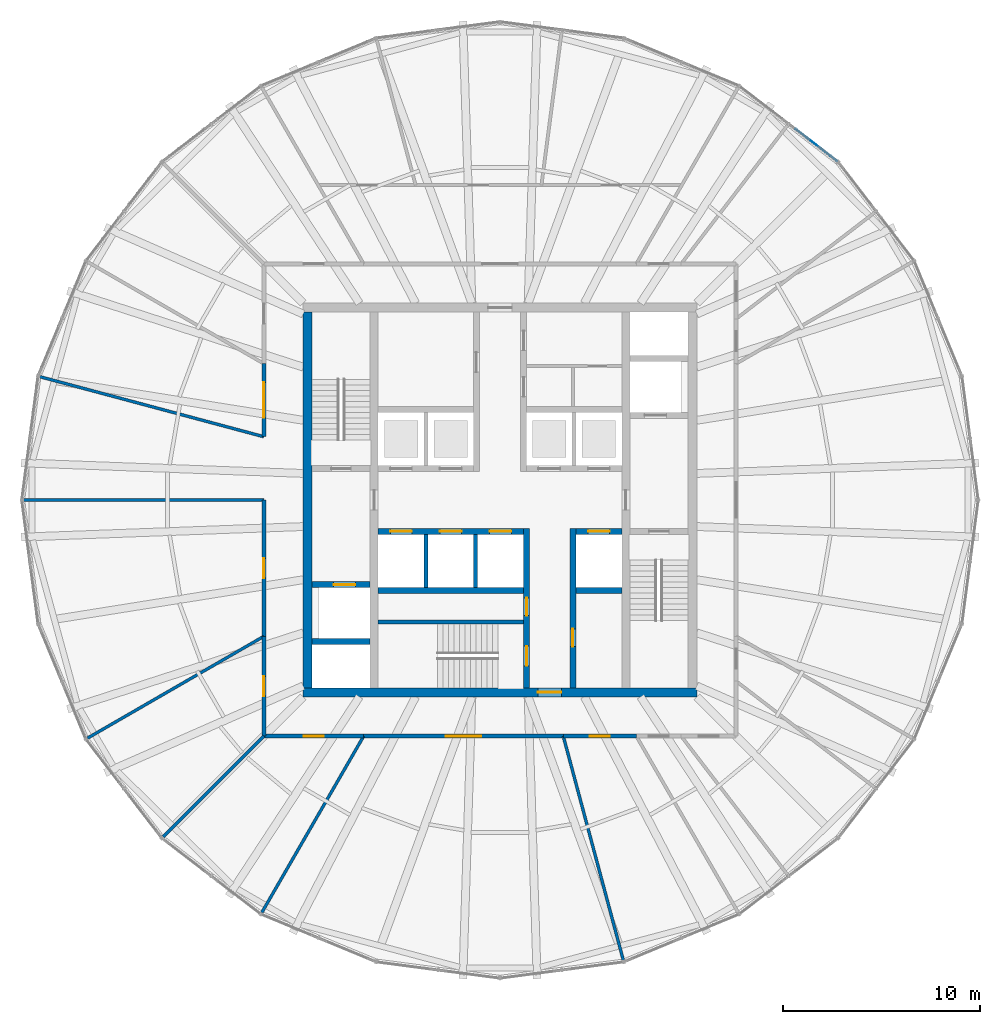
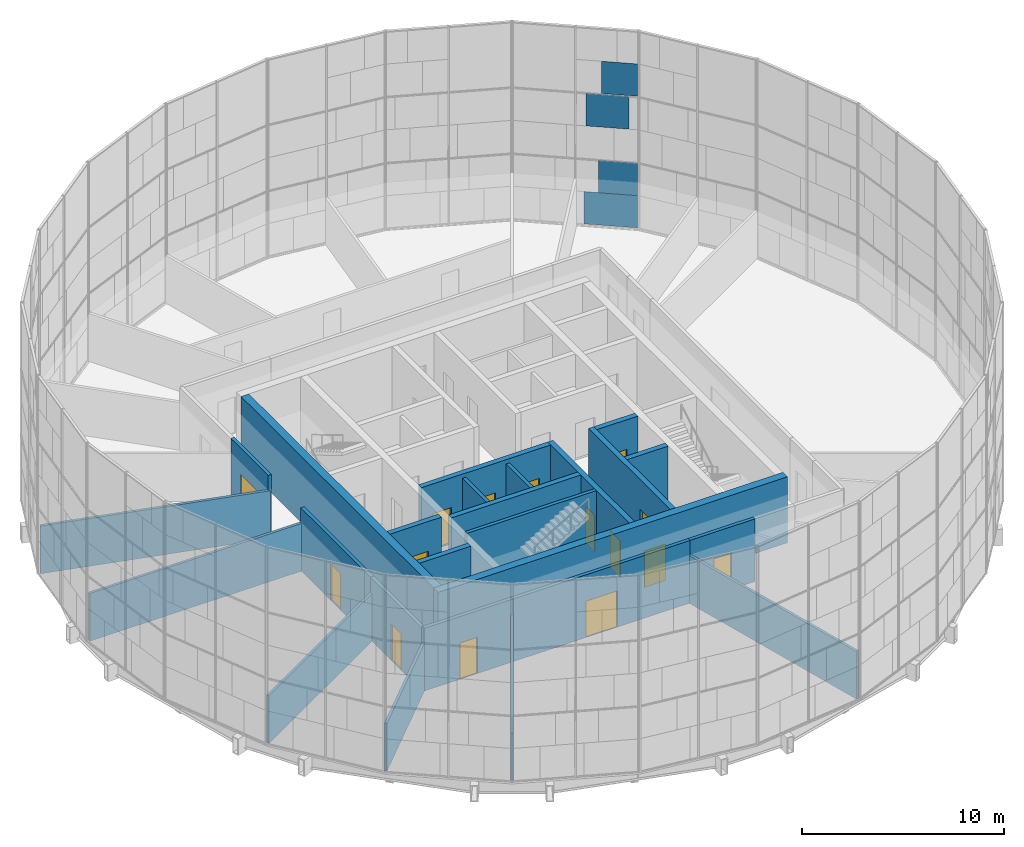
# One storey, part 18 of 22: 25 walls, 15 doors, 4 plates, 15 openings, 1 element without a shape of its own.
"""IFC4 building model written with IfcOpenShell, lengths in metres."""

from ifc_helpers import new_model, si_unit, direction, frame, frame_2d, origin, origin_2d, place, context, subcontext, project, spatial, rectangle, extrude, material, layer, layer_set, type_object, element, fill, aggregate, save


model = new_model("IFC4")

# Units and contexts
model_context = context("Model", 3, precision=1e-05, world=origin(), true_north=direction((0.0, 1.0)))
body_context = subcontext(model_context, "Body", "Model", "MODEL_VIEW")
ifc_project = project(units=[si_unit("LENGTHUNIT", "METRE"), si_unit("AREAUNIT", "SQUARE_METRE"), si_unit("VOLUMEUNIT", "CUBIC_METRE"), si_unit("PLANEANGLEUNIT", "RADIAN"), si_unit("MASSUNIT", "GRAM", prefix="KILO")], contexts=[model_context])

# Site, building, storey
site_placement = place(None, origin())
site = spatial("IfcSite", under=ifc_project, at=site_placement, CompositionType="ELEMENT")
building_placement = place(site_placement, origin())
building = spatial("IfcBuilding", under=site, at=building_placement, Name="Golbaran Civic Tower", CompositionType="ELEMENT")
storey_placement = place(building_placement, frame((0.0, 0.0, 155.0)))
storey = spatial("IfcBuildingStorey", under=building, at=storey_placement, Name="L37", CompositionType="ELEMENT", Elevation=155.0)

# Curtain wall, plates
ifc_material_1 = material(Name="Aluminium and glass", Category="aluminium")
curtain_wall_type = type_object("IfcCurtainWallType", Name="INNER SKIN CURTAIN WALL", PredefinedType="NOTDEFINED", material=ifc_material_1)
curtain_wall_placement = place(storey_placement, origin())
curtain_wall = element("IfcCurtainWall", 1, at=curtain_wall_placement, inside=storey, type_object=curtain_wall_type, Name="Inner skin L37 facet 4 CW1", ObjectType="INNER SKIN", PredefinedType="USERDEFINED")
ifc_material_2 = material(Name="Clear insulating glass", Category="glass")
ifc_layer_1 = layer(ifc_material_2, 0.031982421875, Name="Clear insulating glass")
ifc_layer_set_1 = layer_set([ifc_layer_1], Name="Clear insulating glass")
plate_type_1 = type_object("IfcPlateType", Name="INNER SKIN CURTAIN WALL GLAZED PANEL", PredefinedType="CURTAIN_PANEL", material=ifc_layer_set_1)
plate_1_placement = place(storey_placement, frame((16.072265625, 18.037353515625, 0.06494140625), z_axis=(0.0, 0.0, 1.0), x_axis=(-0.793353340217, 0.608761429106, 0.0)))
plate_1 = element("IfcPlate", 2, at=plate_1_placement, type_object=plate_type_1, Name="CW1 panel 1.1 part 1", PredefinedType="CURTAIN_PANEL", context=body_context, shape_type="SweptSolid", body=[
    extrude(rectangle(XDim=2.673095703125, YDim=0.031982421875, at=origin_2d()), origin(), (0.0, 0.0, 1.0), 1.951171875),
])
plate_2_placement = place(storey_placement, frame((16.353515625, 17.821533203125, 2.016357421875), z_axis=(0.0, 0.0, 1.0), x_axis=(-0.793353340217, 0.608761429106, 0.0)))
plate_2 = element("IfcPlate", 3, at=plate_2_placement, type_object=plate_type_1, Name="CW1 panel 1.1 part 3", PredefinedType="CURTAIN_PANEL", context=body_context, shape_type="SweptSolid", body=[
    extrude(rectangle(XDim=1.964111328125, YDim=0.031982421875, at=origin_2d()), origin(), (0.0, 0.0, 1.0), 1.951171875),
])
ifc_material_3 = material(Name="Aluminium faced opaque infill panel", Category="aluminium")
ifc_layer_2 = layer(ifc_material_3, 0.031982421875, Name="Aluminium faced opaque infill panel")
ifc_layer_set_2 = layer_set([ifc_layer_2], Name="Aluminium faced opaque infill panel")
plate_type_2 = type_object("IfcPlateType", Name="INNER SKIN CURTAIN WALL OPAQUE INFILL PANEL", PredefinedType="CURTAIN_PANEL", material=ifc_layer_set_2)
plate_3_placement = place(storey_placement, frame((15.943359375, 18.13623046875, 6.0), z_axis=(0.0, 0.0, 1.0), x_axis=(-0.793353340217, 0.608761429106, 0.0)))
plate_3 = element("IfcPlate", 4, at=plate_3_placement, type_object=plate_type_2, Name="CW1 infill panel 1.2 part 4", PredefinedType="CURTAIN_PANEL", context=body_context, shape_type="SweptSolid", body=[
    extrude(rectangle(XDim=2.157958984375, YDim=0.031982421875, at=origin_2d()), origin(), (0.0, 0.0, 1.0), 1.967529296875),
])
plate_4_placement = place(storey_placement, frame((16.42138671875, 17.76953125, 8.032470703125), z_axis=(0.0, 0.0, 1.0), x_axis=(-0.793353340217, 0.608761429106, 0.0)))
plate_4 = element("IfcPlate", 5, at=plate_4_placement, type_object=plate_type_2, Name="CW1 infill panel 1.3 part 1", PredefinedType="CURTAIN_PANEL", context=body_context, shape_type="SweptSolid", body=[
    extrude(rectangle(XDim=1.79296875, YDim=0.031982421875, at=origin_2d()), origin(), (0.0, 0.0, 1.0), 1.951171875),
])
aggregate(curtain_wall, [plate_1, plate_2, plate_3, plate_4])

# Wall, opening, door
ifc_material_4 = material(Name="Concrete C50/60", Category="concrete")
ifc_layer_3 = layer(ifc_material_4, 0.449951171875, Name="Concrete C50/60")
ifc_layer_set_3 = layer_set([ifc_layer_3], Name="Concrete C50/60")
wall_type_1 = type_object("IfcWallType", Name="CORE WALL CONCRETE 450", PredefinedType="SOLIDWALL", material=ifc_layer_set_3)
wall_1_placement = place(storey_placement, frame((10.0, -9.77490234375, 0.0), z_axis=(0.0, 0.0, 1.0), x_axis=(-1.0, 0.0, 0.0)))
wall_1 = element("IfcWall", 6, at=wall_1_placement, inside=storey, type_object=wall_type_1, Name="Core wall CS L37", PredefinedType="SOLIDWALL", context=body_context, shape_type="SweptSolid", body=[
    extrude(rectangle(XDim=20.0, YDim=0.449951171875, at=frame_2d((10.0, 0.0))), origin(), (0.0, 0.0, 1.0), 4.0),
])
opening_1_placement = place(wall_1_placement, frame((6.875, 0.0, 0.0)))
opening_1 = element("IfcOpeningElement", 7, at=opening_1_placement, cuts=wall_1, Name="Opening L37.CS", PredefinedType="OPENING", context=body_context, shape_type="SweptSolid", body=[
    extrude(rectangle(XDim=1.199951171875, YDim=2.199951171875, at=frame_2d((0.60009765625, 1.10009765625))), frame((0.0, 0.23486328125, 0.0), z_axis=(0.0, -1.0, 0.0), x_axis=(1.0, 0.0, 0.0)), (0.0, 0.0, 1.0), 0.469970703125),
])
ifc_material_5 = material(Name="Timber door set in steel frame", Category="steel")
door_type_1 = type_object("IfcDoorType", Name="CORE DOOR 1200x2200", OperationType="DOUBLE_DOOR_SINGLE_SWING", PredefinedType="DOOR", material=ifc_material_5)
door_1_placement = place(opening_1_placement, origin())
door_1 = element("IfcDoor", 8, at=door_1_placement, inside=storey, type_object=door_type_1, Name="Core door south", OperationType="DOUBLE_DOOR_SINGLE_SWING", OverallHeight=2.199951171875, OverallWidth=1.199951171875, PredefinedType="DOOR", context=body_context, shape_type="SweptSolid", body=[
    extrude(rectangle(XDim=1.199951171875, YDim=2.199951171875, at=frame_2d((0.60009765625, 1.10009765625))), frame((0.0, 0.02490234375, 0.0), z_axis=(0.0, -1.0, 0.0), x_axis=(1.0, 0.0, 0.0)), (0.0, 0.0, 1.0), 0.050048828125),
])
fill(opening_1, door_1)

# Wall
wall_2_placement = place(storey_placement, frame((-9.77490234375, 9.550048828125, 0.0), z_axis=(0.0, 0.0, 1.0), x_axis=(0.0, -1.0, 0.0)))
element("IfcWall", 9, at=wall_2_placement, inside=storey, type_object=wall_type_1, Name="Core wall CW L37", PredefinedType="SOLIDWALL", context=body_context, shape_type="SweptSolid", body=[
    extrude(rectangle(XDim=19.10009765625, YDim=0.449951171875, at=frame_2d((9.550048828125, 0.0))), origin(), (0.0, 0.0, 1.0), 4.0),
])

# Wall, opening, door
ifc_material_6 = material(Name="Gypsum board on steel studs, fire-rated", Category="steel")
ifc_layer_4 = layer(ifc_material_6, 0.199951171875, Name="Gypsum board on steel studs, fire-rated")
ifc_layer_set_4 = layer_set([ifc_layer_4], Name="Gypsum board on steel studs, fire-rated")
wall_type_2 = type_object("IfcWallType", Name="CORRIDOR WALL 200", PredefinedType="PARTITIONING", material=ifc_layer_set_4)
wall_3_placement = place(storey_placement, frame((-12.0, 6.92822265625, 0.0), z_axis=(0.0, 0.0, 1.0), x_axis=(0.0, -1.0, 0.0)))
wall_3 = element("IfcWall", 10, at=wall_3_placement, inside=storey, type_object=wall_type_2, Name="Corridor wall L37", PredefinedType="PARTITIONING", context=body_context, shape_type="SweptSolid", body=[
    extrude(rectangle(XDim=3.712890625, YDim=0.199951171875, at=frame_2d((1.8564453125, 0.0))), origin(), (0.0, 0.0, 1.0), 3.800048828125),
])
opening_2_placement = place(wall_3_placement, frame((0.956298828125, 0.0, 0.0)))
opening_2 = element("IfcOpeningElement", 11, at=opening_2_placement, cuts=wall_3, Name="Opening L37.11", PredefinedType="OPENING", context=body_context, shape_type="SweptSolid", body=[
    extrude(rectangle(XDim=1.800048828125, YDim=2.199951171875, at=frame_2d((0.89990234375, 1.10009765625))), frame((0.0, 0.10986328125, 0.0), z_axis=(0.0, -1.0, 0.0), x_axis=(1.0, 0.0, 0.0)), (0.0, 0.0, 1.0), 0.219970703125),
])
door_type_2 = type_object("IfcDoorType", Name="OFFICE DOUBLE DOOR 1800x2200", OperationType="DOUBLE_DOOR_SINGLE_SWING", PredefinedType="DOOR", material=ifc_material_5)
door_2_placement = place(opening_2_placement, origin())
door_2 = element("IfcDoor", 12, at=door_2_placement, inside=storey, type_object=door_type_2, Name="IT Services Office door L37", OperationType="DOUBLE_DOOR_SINGLE_SWING", OverallHeight=2.199951171875, OverallWidth=1.800048828125, PredefinedType="DOOR", context=body_context, shape_type="SweptSolid", body=[
    extrude(rectangle(XDim=1.800048828125, YDim=2.199951171875, at=frame_2d((0.89990234375, 1.10009765625))), frame((0.0, 0.02490234375, 0.0), z_axis=(0.0, -1.0, 0.0), x_axis=(1.0, 0.0, 0.0)), (0.0, 0.0, 1.0), 0.050048828125),
])
fill(opening_2, door_2)

wall_4_placement = place(storey_placement, frame((-12.0, 0.0, 0.0), z_axis=(0.0, 0.0, 1.0), x_axis=(0.0, -1.0, 0.0)))
wall_4 = element("IfcWall", 13, at=wall_4_placement, inside=storey, type_object=wall_type_2, Name="Corridor wall L37", PredefinedType="PARTITIONING", context=body_context, shape_type="SweptSolid", body=[
    extrude(rectangle(XDim=6.92822265625, YDim=0.199951171875, at=frame_2d((3.464111328125, 0.0))), origin(), (0.0, 0.0, 1.0), 3.800048828125),
])
opening_3_placement = place(wall_4_placement, frame((2.964111328125, 0.0, 0.0)))
opening_3 = element("IfcOpeningElement", 14, at=opening_3_placement, cuts=wall_4, Name="Opening L37.12", PredefinedType="OPENING", context=body_context, shape_type="SweptSolid", body=[
    extrude(rectangle(XDim=1.0, YDim=2.199951171875, at=frame_2d((0.5, 1.10009765625))), frame((0.0, 0.10986328125, 0.0), z_axis=(0.0, -1.0, 0.0), x_axis=(1.0, 0.0, 0.0)), (0.0, 0.0, 1.0), 0.219970703125),
])
door_type_3 = type_object("IfcDoorType", Name="OFFICE DOOR 1000x2200", OperationType="SINGLE_SWING_LEFT", PredefinedType="DOOR", material=ifc_material_5)
door_3_placement = place(opening_3_placement, origin())
door_3 = element("IfcDoor", 15, at=door_3_placement, inside=storey, type_object=door_type_3, Name="Server Room door L37", OperationType="SINGLE_SWING_RIGHT", OverallHeight=2.199951171875, OverallWidth=1.0, PredefinedType="DOOR", context=body_context, shape_type="SweptSolid", body=[
    extrude(rectangle(XDim=1.0, YDim=2.199951171875, at=frame_2d((0.5, 1.10009765625))), frame((0.0, 0.02490234375, 0.0), z_axis=(0.0, -1.0, 0.0), x_axis=(1.0, 0.0, 0.0)), (0.0, 0.0, 1.0), 0.050048828125),
])
fill(opening_3, door_3)

wall_5_placement = place(storey_placement, frame((-12.0, -6.92822265625, 0.0), z_axis=(0.0, 0.0, 1.0), x_axis=(0.0, -1.0, 0.0)))
wall_5 = element("IfcWall", 16, at=wall_5_placement, inside=storey, type_object=wall_type_2, Name="Corridor wall L37", PredefinedType="PARTITIONING", context=body_context, shape_type="SweptSolid", body=[
    extrude(rectangle(XDim=5.07177734375, YDim=0.199951171875, at=frame_2d((2.535888671875, 0.0))), origin(), (0.0, 0.0, 1.0), 3.800048828125),
])
opening_4_placement = place(wall_5_placement, frame((2.035888671875, 0.0, 0.0)))
opening_4 = element("IfcOpeningElement", 17, at=opening_4_placement, cuts=wall_5, Name="Opening L37.13", PredefinedType="OPENING", context=body_context, shape_type="SweptSolid", body=[
    extrude(rectangle(XDim=1.0, YDim=2.199951171875, at=frame_2d((0.5, 1.10009765625))), frame((0.0, 0.10986328125, 0.0), z_axis=(0.0, -1.0, 0.0), x_axis=(1.0, 0.0, 0.0)), (0.0, 0.0, 1.0), 0.219970703125),
])
door_4_placement = place(opening_4_placement, origin())
door_4 = element("IfcDoor", 18, at=door_4_placement, inside=storey, type_object=door_type_3, Name="Meeting Room door L37", OperationType="SINGLE_SWING_RIGHT", OverallHeight=2.199951171875, OverallWidth=1.0, PredefinedType="DOOR", context=body_context, shape_type="SweptSolid", body=[
    extrude(rectangle(XDim=1.0, YDim=2.199951171875, at=frame_2d((0.5, 1.10009765625))), frame((0.0, 0.02490234375, 0.0), z_axis=(0.0, -1.0, 0.0), x_axis=(1.0, 0.0, 0.0)), (0.0, 0.0, 1.0), 0.050048828125),
])
fill(opening_4, door_4)

wall_6_placement = place(storey_placement, frame((-12.0, -12.0, 0.0), z_axis=(0.0, 0.0, 1.0), x_axis=(1.0, 0.0, 0.0)))
wall_6 = element("IfcWall", 19, at=wall_6_placement, inside=storey, type_object=wall_type_2, Name="Corridor wall L37", PredefinedType="PARTITIONING", context=body_context, shape_type="SweptSolid", body=[
    extrude(rectangle(XDim=5.07177734375, YDim=0.199951171875, at=frame_2d((2.535888671875, 0.0))), origin(), (0.0, 0.0, 1.0), 3.800048828125),
])
opening_5_placement = place(wall_6_placement, frame((2.035888671875, 0.0, 0.0)))
opening_5 = element("IfcOpeningElement", 20, at=opening_5_placement, cuts=wall_6, Name="Opening L37.14", PredefinedType="OPENING", context=body_context, shape_type="SweptSolid", body=[
    extrude(rectangle(XDim=1.0, YDim=2.199951171875, at=frame_2d((0.5, 1.10009765625))), frame((0.0, 0.10986328125, 0.0), z_axis=(0.0, -1.0, 0.0), x_axis=(1.0, 0.0, 0.0)), (0.0, 0.0, 1.0), 0.219970703125),
])
door_5_placement = place(opening_5_placement, origin())
door_5 = element("IfcDoor", 21, at=door_5_placement, inside=storey, type_object=door_type_3, Name="Store door L37", OperationType="SINGLE_SWING_LEFT", OverallHeight=2.199951171875, OverallWidth=1.0, PredefinedType="DOOR", context=body_context, shape_type="SweptSolid", body=[
    extrude(rectangle(XDim=1.0, YDim=2.199951171875, at=frame_2d((0.5, 1.10009765625))), frame((0.0, 0.02490234375, 0.0), z_axis=(0.0, -1.0, 0.0), x_axis=(1.0, 0.0, 0.0)), (0.0, 0.0, 1.0), 0.050048828125),
])
fill(opening_5, door_5)

wall_7_placement = place(storey_placement, frame((-6.92822265625, -12.0, 0.0), z_axis=(0.0, 0.0, 1.0), x_axis=(1.0, 0.0, 0.0)))
wall_7 = element("IfcWall", 22, at=wall_7_placement, inside=storey, type_object=wall_type_2, Name="Corridor wall L37", PredefinedType="PARTITIONING", context=body_context, shape_type="SweptSolid", body=[
    extrude(rectangle(XDim=10.1435546875, YDim=0.199951171875, at=frame_2d((5.07177734375, 0.0))), origin(), (0.0, 0.0, 1.0), 3.800048828125),
])
opening_6_placement = place(wall_7_placement, frame((4.171875, 0.0, 0.0)))
opening_6 = element("IfcOpeningElement", 23, at=opening_6_placement, cuts=wall_7, Name="Opening L37.15", PredefinedType="OPENING", context=body_context, shape_type="SweptSolid", body=[
    extrude(rectangle(XDim=1.800048828125, YDim=2.199951171875, at=frame_2d((0.89990234375, 1.10009765625))), frame((0.0, 0.10986328125, 0.0), z_axis=(0.0, -1.0, 0.0), x_axis=(1.0, 0.0, 0.0)), (0.0, 0.0, 1.0), 0.219970703125),
])
door_6_placement = place(opening_6_placement, origin())
door_6 = element("IfcDoor", 24, at=door_6_placement, inside=storey, type_object=door_type_2, Name="Sky Lobby door L37", OperationType="DOUBLE_DOOR_SINGLE_SWING", OverallHeight=2.199951171875, OverallWidth=1.800048828125, PredefinedType="DOOR", context=body_context, shape_type="SweptSolid", body=[
    extrude(rectangle(XDim=1.800048828125, YDim=2.199951171875, at=frame_2d((0.89990234375, 1.10009765625))), frame((0.0, 0.02490234375, 0.0), z_axis=(0.0, -1.0, 0.0), x_axis=(1.0, 0.0, 0.0)), (0.0, 0.0, 1.0), 0.050048828125),
])
fill(opening_6, door_6)

wall_8_placement = place(storey_placement, frame((3.21533203125, -12.0, 0.0), z_axis=(0.0, 0.0, 1.0), x_axis=(1.0, 0.0, 0.0)))
wall_8 = element("IfcWall", 25, at=wall_8_placement, inside=storey, type_object=wall_type_2, Name="Corridor wall L37", PredefinedType="PARTITIONING", context=body_context, shape_type="SweptSolid", body=[
    extrude(rectangle(XDim=3.712890625, YDim=0.199951171875, at=frame_2d((1.8564453125, 0.0))), origin(), (0.0, 0.0, 1.0), 3.800048828125),
])
opening_7_placement = place(wall_8_placement, frame((1.3564453125, 0.0, 0.0)))
opening_7 = element("IfcOpeningElement", 26, at=opening_7_placement, cuts=wall_8, Name="Opening L37.16", PredefinedType="OPENING", context=body_context, shape_type="SweptSolid", body=[
    extrude(rectangle(XDim=1.0, YDim=2.199951171875, at=frame_2d((0.5, 1.10009765625))), frame((0.0, 0.10986328125, 0.0), z_axis=(0.0, -1.0, 0.0), x_axis=(1.0, 0.0, 0.0)), (0.0, 0.0, 1.0), 0.219970703125),
])
door_7_placement = place(opening_7_placement, origin())
door_7 = element("IfcDoor", 27, at=door_7_placement, inside=storey, type_object=door_type_3, Name="Meeting Room door L37", OperationType="SINGLE_SWING_LEFT", OverallHeight=2.199951171875, OverallWidth=1.0, PredefinedType="DOOR", context=body_context, shape_type="SweptSolid", body=[
    extrude(rectangle(XDim=1.0, YDim=2.199951171875, at=frame_2d((0.5, 1.10009765625))), frame((0.0, 0.02490234375, 0.0), z_axis=(0.0, -1.0, 0.0), x_axis=(1.0, 0.0, 0.0)), (0.0, 0.0, 1.0), 0.050048828125),
])
fill(opening_7, door_7)

# Walls
ifc_material_7 = material(Name="Concrete block", Category="concrete")
ifc_layer_5 = layer(ifc_material_7, 0.199951171875, Name="Concrete block")
ifc_layer_set_5 = layer_set([ifc_layer_5], Name="Concrete block")
wall_type_3 = type_object("IfcWallType", Name="LIFT SEPARATOR WALL 200", PredefinedType="SOLIDWALL", material=ifc_layer_set_5)
for number, where, z_axis, x_axis, name in (
    (28, (-3.75, -1.75, 0.0), (0.0, 0.0, 1.0), (0.0, -1.0, 0.0), "Core partition SSW L37"),
    (29, (-1.25, -1.75, 0.0), (0.0, 0.0, 1.0), (0.0, -1.0, 0.0), "Core partition SSM L37"),
):
    element("IfcWall", number, at=place(storey_placement, frame(where, z_axis=z_axis, x_axis=x_axis)), inside=storey, type_object=wall_type_3, Name=name, PredefinedType="SOLIDWALL", context=body_context, shape_type="SweptSolid", body=[
        extrude(rectangle(XDim=2.699951171875, YDim=0.199951171875, at=frame_2d((1.35009765625, 0.0))), origin(), (0.0, 0.0, 1.0), 3.75),
    ])
ifc_material_8 = material(Name="Gypsum board on steel studs", Category="steel")
ifc_layer_6 = layer(ifc_material_8, 0.14990234375, Name="Gypsum board on steel studs")
ifc_layer_set_6 = layer_set([ifc_layer_6], Name="Gypsum board on steel studs")
wall_type_4 = type_object("IfcWallType", Name="OFFICE PARTITION 150", PredefinedType="PARTITIONING", material=ifc_layer_set_6)
wall_9_placement = place(storey_placement, frame((-12.0, 3.21533203125, 0.0), z_axis=(0.0, 0.0, 1.0), x_axis=(-0.965923829901, 0.25882649561, 0.0)))
element("IfcWall", 30, at=wall_9_placement, inside=storey, type_object=wall_type_4, Name="Partition 165 L37", PredefinedType="PARTITIONING", context=body_context, shape_type="SweptSolid", body=[
    extrude(rectangle(XDim=11.787841796875, YDim=0.14990234375, at=frame_2d((5.89404296875, 0.0))), origin(), (0.0, 0.0, 1.0), 2.889892578125),
])
wall_10_placement = place(storey_placement, frame((-12.0, 0.0, 0.0), z_axis=(0.0, 0.0, 1.0), x_axis=(-1.0, 0.0, 0.0)))
element("IfcWall", 31, at=wall_10_placement, inside=storey, type_object=wall_type_4, Name="Partition 180 L37", PredefinedType="PARTITIONING", context=body_context, shape_type="SweptSolid", body=[
    extrude(rectangle(XDim=12.211181640625, YDim=0.14990234375, at=frame_2d((6.10546875, 0.0))), origin(), (0.0, 0.0, 1.0), 2.889892578125),
])
wall_11_placement = place(storey_placement, frame((-12.0, -6.92822265625, 0.0), z_axis=(0.0, 0.0, 1.0), x_axis=(-0.86602185845, -0.500006140648, 0.0)))
element("IfcWall", 32, at=wall_11_placement, inside=storey, type_object=wall_type_4, Name="Partition 210 L37", PredefinedType="PARTITIONING", context=body_context, shape_type="SweptSolid", body=[
    extrude(rectangle(XDim=10.354736328125, YDim=0.14990234375, at=frame_2d((5.17724609375, 0.0))), origin(), (0.0, 0.0, 1.0), 2.889892578125),
])
wall_12_placement = place(storey_placement, frame((-12.0, -12.0, 0.0), z_axis=(0.0, 0.0, 1.0), x_axis=(-0.707106781187, -0.707106781187, 0.0)))
element("IfcWall", 33, at=wall_12_placement, inside=storey, type_object=wall_type_4, Name="Partition 225 L37", PredefinedType="PARTITIONING", context=body_context, shape_type="SweptSolid", body=[
    extrude(rectangle(XDim=7.240478515625, YDim=0.14990234375, at=frame_2d((3.6201171875, 0.0))), origin(), (0.0, 0.0, 1.0), 2.889892578125),
])
wall_13_placement = place(storey_placement, frame((-6.92822265625, -12.0, 0.0), z_axis=(0.0, 0.0, 1.0), x_axis=(-0.500006140648, -0.86602185845, 0.0)))
element("IfcWall", 34, at=wall_13_placement, inside=storey, type_object=wall_type_4, Name="Partition 240 L37", PredefinedType="PARTITIONING", context=body_context, shape_type="SweptSolid", body=[
    extrude(rectangle(XDim=10.354736328125, YDim=0.14990234375, at=frame_2d((5.17724609375, 0.0))), origin(), (0.0, 0.0, 1.0), 2.889892578125),
])
wall_14_placement = place(storey_placement, frame((3.21533203125, -12.0, 0.0), z_axis=(0.0, 0.0, 1.0), x_axis=(0.25882649561, -0.965923829901, 0.0)))
element("IfcWall", 35, at=wall_14_placement, inside=storey, type_object=wall_type_4, Name="Partition 285 L37", PredefinedType="PARTITIONING", context=body_context, shape_type="SweptSolid", body=[
    extrude(rectangle(XDim=11.787841796875, YDim=0.14990234375, at=frame_2d((5.89404296875, 0.0))), origin(), (0.0, 0.0, 1.0), 2.889892578125),
])
ifc_layer_7 = layer(ifc_material_4, 0.199951171875, Name="Concrete C50/60")
ifc_layer_set_7 = layer_set([ifc_layer_7], Name="Concrete C50/60")
wall_type_5 = type_object("IfcWallType", Name="SHAFT WALL CONCRETE 200", PredefinedType="SOLIDWALL", material=ifc_layer_set_7)
wall_15_placement = place(storey_placement, frame((-6.199951171875, -6.199951171875, 0.0), z_axis=(0.0, 0.0, 1.0), x_axis=(1.0, 0.0, 0.0)))
element("IfcWall", 36, at=wall_15_placement, inside=storey, type_object=wall_type_5, Name="Core wall S3N L37", PredefinedType="SOLIDWALL", context=body_context, shape_type="SweptSolid", body=[
    extrude(rectangle(XDim=7.39990234375, YDim=0.199951171875, at=frame_2d((3.699951171875, 0.0))), origin(), (0.0, 0.0, 1.0), 4.0),
])

# Wall, openings, doors
ifc_layer_8 = layer(ifc_material_4, 0.300048828125, Name="Concrete C50/60")
ifc_layer_set_8 = layer_set([ifc_layer_8], Name="Concrete C50/60")
wall_type_6 = type_object("IfcWallType", Name="SHAFT WALL CONCRETE 300", PredefinedType="SOLIDWALL", material=ifc_layer_set_8)
wall_16_placement = place(storey_placement, frame((-6.199951171875, -1.60009765625, 0.0), z_axis=(0.0, 0.0, 1.0), x_axis=(1.0, 0.0, 0.0)))
wall_16 = element("IfcWall", 37, at=wall_16_placement, inside=storey, type_object=wall_type_6, Name="Core wall FSW L37", PredefinedType="SOLIDWALL", context=body_context, shape_type="SweptSolid", body=[
    extrude(rectangle(XDim=7.39990234375, YDim=0.300048828125, at=frame_2d((3.699951171875, 0.0))), origin(), (0.0, 0.0, 1.0), 4.0),
])
opening_8_placement = place(wall_16_placement, frame((0.625, 0.0, 0.0)))
opening_8 = element("IfcOpeningElement", 38, at=opening_8_placement, cuts=wall_16, Name="Opening L37.LD-H1", PredefinedType="OPENING", context=body_context, shape_type="SweptSolid", body=[
    extrude(rectangle(XDim=1.10009765625, YDim=2.199951171875, at=frame_2d((0.550048828125, 1.10009765625))), frame((0.0, 0.159912109375, 0.0), z_axis=(0.0, -1.0, 0.0), x_axis=(1.0, 0.0, 0.0)), (0.0, 0.0, 1.0), 0.320068359375),
])
opening_9_placement = place(wall_16_placement, frame((3.14990234375, 0.0, 0.0)))
opening_9 = element("IfcOpeningElement", 39, at=opening_9_placement, cuts=wall_16, Name="Opening L37.LD-H2", PredefinedType="OPENING", context=body_context, shape_type="SweptSolid", body=[
    extrude(rectangle(XDim=1.10009765625, YDim=2.199951171875, at=frame_2d((0.550048828125, 1.10009765625))), frame((0.0, 0.159912109375, 0.0), z_axis=(0.0, -1.0, 0.0), x_axis=(1.0, 0.0, 0.0)), (0.0, 0.0, 1.0), 0.320068359375),
])
opening_10_placement = place(wall_16_placement, frame((5.675048828125, 0.0, 0.0)))
opening_10 = element("IfcOpeningElement", 40, at=opening_10_placement, cuts=wall_16, Name="Opening L37.LD-H3", PredefinedType="OPENING", context=body_context, shape_type="SweptSolid", body=[
    extrude(rectangle(XDim=1.10009765625, YDim=2.199951171875, at=frame_2d((0.550048828125, 1.10009765625))), frame((0.0, 0.159912109375, 0.0), z_axis=(0.0, -1.0, 0.0), x_axis=(1.0, 0.0, 0.0)), (0.0, 0.0, 1.0), 0.320068359375),
])
ifc_material_9 = material(Name="Stainless steel", Category="steel")
door_type_4 = type_object("IfcDoorType", Name="LIFT LANDING DOOR 1100x2200", OperationType="SLIDING_TO_LEFT", PredefinedType="DOOR", material=ifc_material_9)
door_8_placement = place(opening_8_placement, origin())
door_8 = element("IfcDoor", 41, at=door_8_placement, inside=storey, type_object=door_type_4, Name="Lift landing door H1", OperationType="SLIDING_TO_LEFT", OverallHeight=2.199951171875, OverallWidth=1.10009765625, PredefinedType="DOOR", context=body_context, shape_type="SweptSolid", body=[
    extrude(rectangle(XDim=1.10009765625, YDim=2.199951171875, at=frame_2d((0.550048828125, 1.10009765625))), frame((0.0, 0.02490234375, 0.0), z_axis=(0.0, -1.0, 0.0), x_axis=(1.0, 0.0, 0.0)), (0.0, 0.0, 1.0), 0.050048828125),
])
fill(opening_8, door_8)
door_9_placement = place(opening_9_placement, origin())
door_9 = element("IfcDoor", 42, at=door_9_placement, inside=storey, type_object=door_type_4, Name="Lift landing door H2", OperationType="SLIDING_TO_LEFT", OverallHeight=2.199951171875, OverallWidth=1.10009765625, PredefinedType="DOOR", context=body_context, shape_type="SweptSolid", body=[
    extrude(rectangle(XDim=1.10009765625, YDim=2.199951171875, at=frame_2d((0.550048828125, 1.10009765625))), frame((0.0, 0.02490234375, 0.0), z_axis=(0.0, -1.0, 0.0), x_axis=(1.0, 0.0, 0.0)), (0.0, 0.0, 1.0), 0.050048828125),
])
fill(opening_9, door_9)
door_10_placement = place(opening_10_placement, origin())
door_10 = element("IfcDoor", 43, at=door_10_placement, inside=storey, type_object=door_type_4, Name="Lift landing door H3", OperationType="SLIDING_TO_LEFT", OverallHeight=2.199951171875, OverallWidth=1.10009765625, PredefinedType="DOOR", context=body_context, shape_type="SweptSolid", body=[
    extrude(rectangle(XDim=1.10009765625, YDim=2.199951171875, at=frame_2d((0.550048828125, 1.10009765625))), frame((0.0, 0.02490234375, 0.0), z_axis=(0.0, -1.0, 0.0), x_axis=(1.0, 0.0, 0.0)), (0.0, 0.0, 1.0), 0.050048828125),
])
fill(opening_10, door_10)

# Wall, opening, door
wall_17_placement = place(storey_placement, frame((3.85009765625, -1.60009765625, 0.0), z_axis=(0.0, 0.0, 1.0), x_axis=(1.0, 0.0, 0.0)))
wall_17 = element("IfcWall", 44, at=wall_17_placement, inside=storey, type_object=wall_type_6, Name="Core wall FSE L37", PredefinedType="SOLIDWALL", context=body_context, shape_type="SweptSolid", body=[
    extrude(rectangle(XDim=2.349853515625, YDim=0.300048828125, at=frame_2d((1.1748046875, 0.0))), origin(), (0.0, 0.0, 1.0), 4.0),
])
opening_11_placement = place(wall_17_placement, frame((0.625, 0.0, 0.0)))
opening_11 = element("IfcOpeningElement", 45, at=opening_11_placement, cuts=wall_17, Name="Opening L37.LD-V1", PredefinedType="OPENING", context=body_context, shape_type="SweptSolid", body=[
    extrude(rectangle(XDim=1.10009765625, YDim=2.199951171875, at=frame_2d((0.550048828125, 1.10009765625))), frame((0.0, 0.159912109375, 0.0), z_axis=(0.0, -1.0, 0.0), x_axis=(1.0, 0.0, 0.0)), (0.0, 0.0, 1.0), 0.320068359375),
])
door_11_placement = place(opening_11_placement, origin())
door_11 = element("IfcDoor", 46, at=door_11_placement, inside=storey, type_object=door_type_4, Name="Lift landing door V1", OperationType="SLIDING_TO_LEFT", OverallHeight=2.199951171875, OverallWidth=1.10009765625, PredefinedType="DOOR", context=body_context, shape_type="SweptSolid", body=[
    extrude(rectangle(XDim=1.10009765625, YDim=2.199951171875, at=frame_2d((0.550048828125, 1.10009765625))), frame((0.0, 0.02490234375, 0.0), z_axis=(0.0, -1.0, 0.0), x_axis=(1.0, 0.0, 0.0)), (0.0, 0.0, 1.0), 0.050048828125),
])
fill(opening_11, door_11)

# Walls
wall_18_placement = place(storey_placement, frame((-6.199951171875, -4.60009765625, 0.0), z_axis=(0.0, 0.0, 1.0), x_axis=(1.0, 0.0, 0.0)))
element("IfcWall", 47, at=wall_18_placement, inside=storey, type_object=wall_type_6, Name="Core wall BSW L37", PredefinedType="SOLIDWALL", context=body_context, shape_type="SweptSolid", body=[
    extrude(rectangle(XDim=7.39990234375, YDim=0.300048828125, at=frame_2d((3.699951171875, 0.0))), origin(), (0.0, 0.0, 1.0), 4.0),
])
wall_19_placement = place(storey_placement, frame((3.85009765625, -4.60009765625, 0.0), z_axis=(0.0, 0.0, 1.0), x_axis=(1.0, 0.0, 0.0)))
element("IfcWall", 48, at=wall_19_placement, inside=storey, type_object=wall_type_6, Name="Core wall BSE L37", PredefinedType="SOLIDWALL", context=body_context, shape_type="SweptSolid", body=[
    extrude(rectangle(XDim=2.349853515625, YDim=0.300048828125, at=frame_2d((1.1748046875, 0.0))), origin(), (0.0, 0.0, 1.0), 4.0),
])

# Wall, openings, doors
wall_20_placement = place(storey_placement, frame((1.35009765625, -1.449951171875, 0.0), z_axis=(0.0, 0.0, 1.0), x_axis=(0.0, -1.0, 0.0)))
wall_20 = element("IfcWall", 49, at=wall_20_placement, inside=storey, type_object=wall_type_6, Name="Core wall PSW L37", PredefinedType="SOLIDWALL", context=body_context, shape_type="SweptSolid", body=[
    extrude(rectangle(XDim=8.10009765625, YDim=0.300048828125, at=frame_2d((4.050048828125, 0.0))), origin(), (0.0, 0.0, 1.0), 4.0),
])
opening_12_placement = place(wall_20_placement, frame((5.97509765625, 0.0, 0.0)))
opening_12 = element("IfcOpeningElement", 50, at=opening_12_placement, cuts=wall_20, Name="Opening L37.S3", PredefinedType="OPENING", context=body_context, shape_type="SweptSolid", body=[
    extrude(rectangle(XDim=1.0, YDim=2.199951171875, at=frame_2d((0.5, 1.10009765625))), frame((0.0, 0.159912109375, 0.0), z_axis=(0.0, -1.0, 0.0), x_axis=(1.0, 0.0, 0.0)), (0.0, 0.0, 1.0), 0.320068359375),
])
opening_13_placement = place(wall_20_placement, frame((3.52490234375, 0.0, 0.0)))
opening_13 = element("IfcOpeningElement", 51, at=opening_13_placement, cuts=wall_20, Name="Opening L37.RE", PredefinedType="OPENING", context=body_context, shape_type="SweptSolid", body=[
    extrude(rectangle(XDim=0.89990234375, YDim=2.199951171875, at=frame_2d((0.449951171875, 1.10009765625))), frame((0.0, 0.159912109375, 0.0), z_axis=(0.0, -1.0, 0.0), x_axis=(1.0, 0.0, 0.0)), (0.0, 0.0, 1.0), 0.320068359375),
])
door_type_5 = type_object("IfcDoorType", Name="RISER DOOR 900x2200", OperationType="SINGLE_SWING_LEFT", PredefinedType="DOOR", material=ifc_material_5)
door_12_placement = place(opening_13_placement, origin())
door_12 = element("IfcDoor", 52, at=door_12_placement, inside=storey, type_object=door_type_5, Name="Electrical riser door", OperationType="SINGLE_SWING_LEFT", OverallHeight=2.199951171875, OverallWidth=0.89990234375, PredefinedType="DOOR", context=body_context, shape_type="SweptSolid", body=[
    extrude(rectangle(XDim=0.89990234375, YDim=2.199951171875, at=frame_2d((0.449951171875, 1.10009765625))), frame((0.0, 0.02490234375, 0.0), z_axis=(0.0, -1.0, 0.0), x_axis=(1.0, 0.0, 0.0)), (0.0, 0.0, 1.0), 0.050048828125),
])
fill(opening_13, door_12)
door_type_6 = type_object("IfcDoorType", Name="STAIR DOOR 1000x2200", OperationType="SINGLE_SWING_LEFT", PredefinedType="DOOR", material=ifc_material_5)
door_13_placement = place(opening_12_placement, origin())
door_13 = element("IfcDoor", 53, at=door_13_placement, inside=storey, type_object=door_type_6, Name="Stair S3 door", OperationType="SINGLE_SWING_RIGHT", OverallHeight=2.199951171875, OverallWidth=1.0, PredefinedType="DOOR", context=body_context, shape_type="SweptSolid", body=[
    extrude(rectangle(XDim=1.0, YDim=2.199951171875, at=frame_2d((0.5, 1.10009765625))), frame((0.0, 0.02490234375, 0.0), z_axis=(0.0, -1.0, 0.0), x_axis=(1.0, 0.0, 0.0)), (0.0, 0.0, 1.0), 0.050048828125),
])
fill(opening_12, door_13)

# Wall, opening, door
wall_21_placement = place(storey_placement, frame((3.699951171875, -1.449951171875, 0.0), z_axis=(0.0, 0.0, 1.0), x_axis=(0.0, -1.0, 0.0)))
wall_21 = element("IfcWall", 54, at=wall_21_placement, inside=storey, type_object=wall_type_6, Name="Core wall PSE L37", PredefinedType="SOLIDWALL", context=body_context, shape_type="SweptSolid", body=[
    extrude(rectangle(XDim=8.10009765625, YDim=0.300048828125, at=frame_2d((4.050048828125, 0.0))), origin(), (0.0, 0.0, 1.0), 4.0),
])
opening_14_placement = place(wall_21_placement, frame((5.10009765625, 0.0, 0.0)))
opening_14 = element("IfcOpeningElement", 55, at=opening_14_placement, cuts=wall_21, Name="Opening L37.RM", PredefinedType="OPENING", context=body_context, shape_type="SweptSolid", body=[
    extrude(rectangle(XDim=0.89990234375, YDim=2.199951171875, at=frame_2d((0.449951171875, 1.10009765625))), frame((0.0, 0.159912109375, 0.0), z_axis=(0.0, -1.0, 0.0), x_axis=(1.0, 0.0, 0.0)), (0.0, 0.0, 1.0), 0.320068359375),
])
door_14_placement = place(opening_14_placement, origin())
door_14 = element("IfcDoor", 56, at=door_14_placement, inside=storey, type_object=door_type_5, Name="Mechanical riser door", OperationType="SINGLE_SWING_RIGHT", OverallHeight=2.199951171875, OverallWidth=0.89990234375, PredefinedType="DOOR", context=body_context, shape_type="SweptSolid", body=[
    extrude(rectangle(XDim=0.89990234375, YDim=2.199951171875, at=frame_2d((0.449951171875, 1.10009765625))), frame((0.0, 0.02490234375, 0.0), z_axis=(0.0, -1.0, 0.0), x_axis=(1.0, 0.0, 0.0)), (0.0, 0.0, 1.0), 0.050048828125),
])
fill(opening_14, door_14)

wall_22_placement = place(storey_placement, frame((-9.550048828125, -4.300048828125, 0.0), z_axis=(0.0, 0.0, 1.0), x_axis=(1.0, 0.0, 0.0)))
wall_22 = element("IfcWall", 57, at=wall_22_placement, inside=storey, type_object=wall_type_6, Name="Core wall XW2 L37", PredefinedType="SOLIDWALL", context=body_context, shape_type="SweptSolid", body=[
    extrude(rectangle(XDim=2.949951171875, YDim=0.300048828125, at=frame_2d((1.47509765625, 0.0))), origin(), (0.0, 0.0, 1.0), 4.0),
])
opening_15_placement = place(wall_22_placement, frame((1.10009765625, 0.0, 0.0)))
opening_15 = element("IfcOpeningElement", 58, at=opening_15_placement, cuts=wall_22, Name="Opening L37.LD-F1", PredefinedType="OPENING", context=body_context, shape_type="SweptSolid", body=[
    extrude(rectangle(XDim=1.10009765625, YDim=2.199951171875, at=frame_2d((0.550048828125, 1.10009765625))), frame((0.0, 0.159912109375, 0.0), z_axis=(0.0, -1.0, 0.0), x_axis=(1.0, 0.0, 0.0)), (0.0, 0.0, 1.0), 0.320068359375),
])
door_15_placement = place(opening_15_placement, origin())
door_15 = element("IfcDoor", 59, at=door_15_placement, inside=storey, type_object=door_type_4, Name="Lift landing door F1", OperationType="SLIDING_TO_LEFT", OverallHeight=2.199951171875, OverallWidth=1.10009765625, PredefinedType="DOOR", context=body_context, shape_type="SweptSolid", body=[
    extrude(rectangle(XDim=1.10009765625, YDim=2.199951171875, at=frame_2d((0.550048828125, 1.10009765625))), frame((0.0, 0.02490234375, 0.0), z_axis=(0.0, -1.0, 0.0), x_axis=(1.0, 0.0, 0.0)), (0.0, 0.0, 1.0), 0.050048828125),
])
fill(opening_15, door_15)

# Wall
wall_23_placement = place(storey_placement, frame((-9.550048828125, -7.199951171875, 0.0), z_axis=(0.0, 0.0, 1.0), x_axis=(1.0, 0.0, 0.0)))
element("IfcWall", 60, at=wall_23_placement, inside=storey, type_object=wall_type_6, Name="Core wall XW3 L37", PredefinedType="SOLIDWALL", context=body_context, shape_type="SweptSolid", body=[
    extrude(rectangle(XDim=2.949951171875, YDim=0.300048828125, at=frame_2d((1.47509765625, 0.0))), origin(), (0.0, 0.0, 1.0), 4.0),
])

save(model, "model.ifc")
